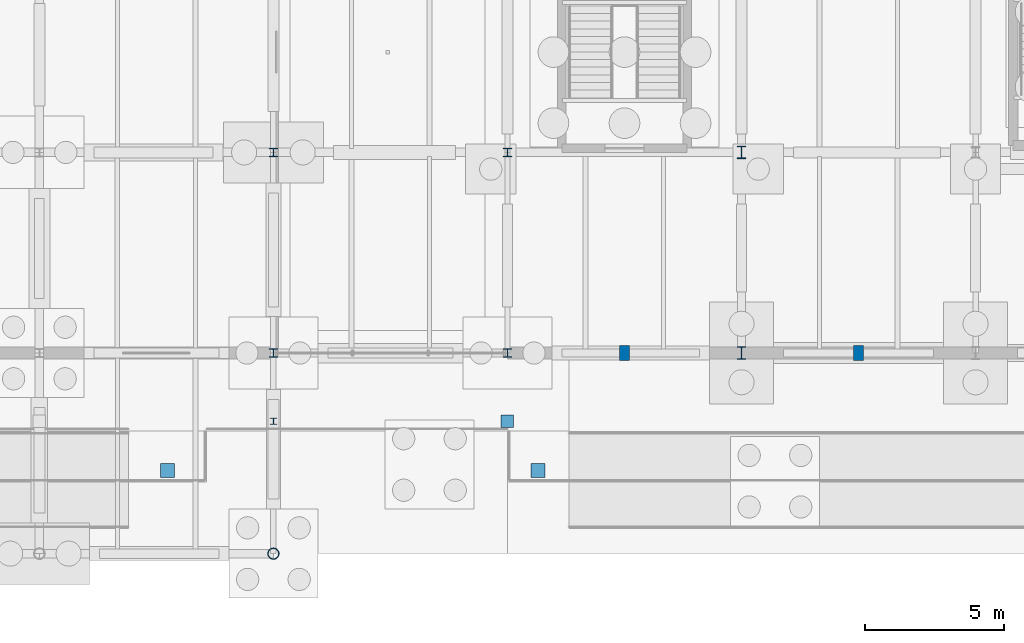
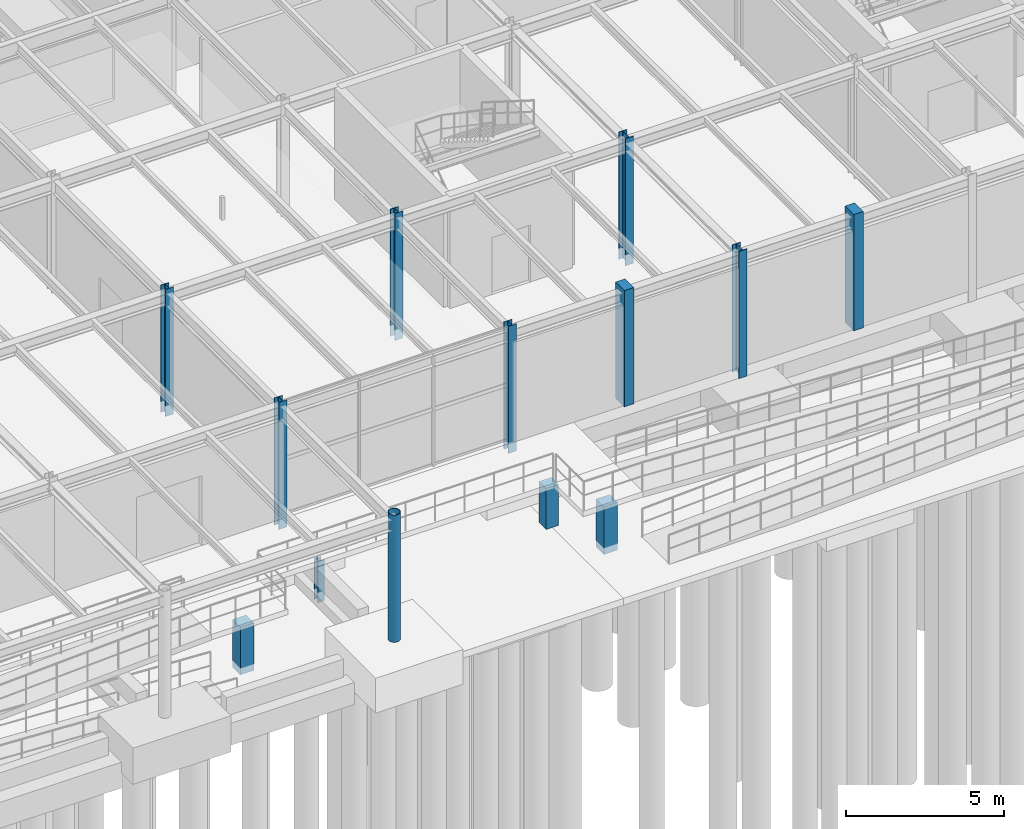
# One storey, part 15 of 93: 13 columns.
"""IFC4 building model written with IfcOpenShell, lengths in metres."""

from ifc_helpers import new_model, si_unit, derived_unit, direction, frame, origin, origin_2d, place, context, subcontext, project, spatial, rectangle, hollow_circle, i_section, extrude, material, material_profile, profile_set, type_object, element, save


model = new_model("IFC4")

# Units and contexts
model_context = context("Model", 3, precision=1e-05, world=origin(), true_north=direction((0.0, 1.0)))
body_context = subcontext(model_context, "Body", "Model", "MODEL_VIEW")
ifc_project = project(units=[si_unit("LENGTHUNIT", "METRE"), si_unit("AREAUNIT", "SQUARE_METRE"), si_unit("VOLUMEUNIT", "CUBIC_METRE"), si_unit("PLANEANGLEUNIT", "RADIAN"), si_unit("MASSUNIT", "GRAM", prefix="KILO"), derived_unit("THERMALTRANSMITTANCEUNIT", [(si_unit("MASSUNIT", "GRAM", prefix="KILO"), 1), (si_unit("TIMEUNIT", "SECOND"), -3), (si_unit("THERMODYNAMICTEMPERATUREUNIT", "KELVIN"), -1)])], contexts=[model_context])

# Site, building, storey
site_placement = place(None, origin())
site = spatial("IfcSite", under=ifc_project, at=site_placement, CompositionType="ELEMENT")
building_placement = place(site_placement, origin())
building = spatial("IfcBuilding", under=site, at=building_placement, Name="Kharveza Railside Sports Centre", CompositionType="ELEMENT")
storey_placement = place(building_placement, origin())
storey = spatial("IfcBuildingStorey", under=building, at=storey_placement, Name="L00", CompositionType="ELEMENT", Elevation=0.0)

# Columns
ifc_material_1 = material(Name="Concrete C35/45", Category="concrete")
ifc_material_profile_1 = material_profile(ifc_material_1, rectangle(XDim=0.5, YDim=0.5, at=origin_2d()), Name="RC 500x500")
ifc_profile_set_1 = profile_set([ifc_material_profile_1], Name="Concrete C35/45")
column_type_1 = type_object("IfcColumnType", Name="COL-RC03", PredefinedType="COLUMN", material=ifc_profile_set_1)
for number, where, z_axis, x_axis, name in (
    (1, (97.0, 2.97998046875, -2.06005859375), (0.0, 0.0, 1.0), (1.0, 0.0, 0.0), "COL-RMP-EXT-W-C3"),
    (2, (110.300048828125, 2.97998046875, -2.06005859375), (0.0, 0.0, 1.0), (1.0, 0.0, 0.0), "COL-RMP-EXT-E-C3"),
):
    element("IfcColumn", number, at=place(storey_placement, frame(where, z_axis=z_axis, x_axis=x_axis)), inside=storey, type_object=column_type_1, Name=name, PredefinedType="COLUMN", context=body_context, shape_type="SweptSolid", body=[
        extrude(rectangle(XDim=0.5, YDim=0.5, at=origin_2d()), origin(), (0.0, 0.0, 1.0), 1.85009765625),
    ])
ifc_material_profile_2 = material_profile(ifc_material_1, rectangle(XDim=0.449951171875, YDim=0.449951171875, at=origin_2d()), Name="RC 450x450")
ifc_profile_set_2 = profile_set([ifc_material_profile_2], Name="Concrete C35/45")
column_type_2 = type_object("IfcColumnType", Name="COL-RC09", PredefinedType="COLUMN", material=ifc_profile_set_2)
column_1_placement = place(storey_placement, frame((109.199951171875, 4.75, -1.800048828125), z_axis=(0.0, 0.0, 1.0), x_axis=(1.0, 0.0, 0.0)))
element("IfcColumn", 3, at=column_1_placement, inside=storey, type_object=column_type_2, Name="COL-PORTICO-05", PredefinedType="COLUMN", context=body_context, shape_type="SweptSolid", body=[
    extrude(rectangle(XDim=0.449951171875, YDim=0.449951171875, at=origin_2d()), origin(), (0.0, 0.0, 1.0), 1.590087890625),
])
ifc_material_profile_3 = material_profile(ifc_material_1, rectangle(XDim=0.35009765625, YDim=0.550048828125, at=origin_2d()), Name="RC 350x550")
ifc_profile_set_3 = profile_set([ifc_material_profile_3], Name="Concrete C35/45")
column_type_3 = type_object("IfcColumnType", Name="COL-RC10", PredefinedType="PILASTER", material=ifc_profile_set_3)
for number, where, z_axis, x_axis, name in (
    (4, (113.39990234375, 7.199951171875, 0.0), (0.0, 0.0, 1.0), (1.0, 0.0, 0.0), "COL-PIL-SBM-01"),
    (5, (121.800048828125, 7.199951171875, 0.0), (0.0, 0.0, 1.0), (1.0, 0.0, 0.0), "COL-PIL-SBM-02"),
):
    element("IfcColumn", number, at=place(storey_placement, frame(where, z_axis=z_axis, x_axis=x_axis)), inside=storey, type_object=column_type_3, Name=name, PredefinedType="PILASTER", context=body_context, shape_type="SweptSolid", body=[
        extrude(rectangle(XDim=0.35009765625, YDim=0.550048828125, at=origin_2d()), origin(), (0.0, 0.0, 1.0), 4.5),
    ])
ifc_material_2 = material(Name="Steel S355J2", Category="steel")
ifc_material_profile_4 = material_profile(ifc_material_2, i_section(OverallWidth=0.300048828125, OverallDepth=0.300048828125, WebThickness=0.010986328125, FlangeThickness=0.01904296875, FilletRadius=0.027099609375, at=origin_2d()), Name="HEB 300")
ifc_profile_set_4 = profile_set([ifc_material_profile_4], Name="Steel S355J2")
column_type_4 = type_object("IfcColumnType", Name="COL-S07", PredefinedType="COLUMN", material=ifc_profile_set_4)
for number, where, z_axis, x_axis, name in (
    (6, (100.800048828125, 7.199951171875, -0.419921875), (0.0, 0.0, 1.0), (1.0, 0.0, 0.0), "COL-G-C07-X1008-Y72-L00"),
    (7, (100.800048828125, 14.39990234375, -0.419921875), (0.0, 0.0, 1.0), (1.0, 0.0, 0.0), "COL-G-C07-X1008-Y144-L00"),
    (8, (109.199951171875, 7.199951171875, -0.419921875), (0.0, 0.0, 1.0), (1.0, 0.0, 0.0), "COL-G-C07-X1092-Y72-L00"),
    (9, (109.199951171875, 14.39990234375, -0.419921875), (0.0, 0.0, 1.0), (1.0, 0.0, 0.0), "COL-G-C07-X1092-Y144-L00"),
):
    element("IfcColumn", number, at=place(storey_placement, frame(where, z_axis=z_axis, x_axis=x_axis)), inside=storey, type_object=column_type_4, Name=name, PredefinedType="COLUMN", context=body_context, shape_type="SweptSolid", body=[
        extrude(i_section(OverallWidth=0.300048828125, OverallDepth=0.300048828125, WebThickness=0.010986328125, FlangeThickness=0.01904296875, FilletRadius=0.027099609375, at=origin_2d()), origin(), (0.0, 0.0, 1.0), 4.919921875),
    ])
ifc_material_profile_5 = material_profile(ifc_material_2, i_section(OverallWidth=0.300048828125, OverallDepth=0.43994140625, WebThickness=0.011474609375, FlangeThickness=0.02099609375, FilletRadius=0.027099609375, at=origin_2d()), Name="HEA 450")
ifc_profile_set_5 = profile_set([ifc_material_profile_5], Name="Steel S355J2")
column_type_5 = type_object("IfcColumnType", Name="COL-S09", PredefinedType="COLUMN", material=ifc_profile_set_5)
for number, where, z_axis, x_axis, name in (
    (10, (117.60009765625, 7.199951171875, -0.419921875), (0.0, 0.0, 1.0), (1.0, 0.0, 0.0), "COL-G-C09-X1176-Y72-L00"),
    (11, (117.60009765625, 14.39990234375, -0.419921875), (0.0, 0.0, 1.0), (1.0, 0.0, 0.0), "COL-G-C09-X1176-Y144-L00"),
):
    element("IfcColumn", number, at=place(storey_placement, frame(where, z_axis=z_axis, x_axis=x_axis)), inside=storey, type_object=column_type_5, Name=name, PredefinedType="COLUMN", context=body_context, shape_type="SweptSolid", body=[
        extrude(i_section(OverallWidth=0.300048828125, OverallDepth=0.43994140625, WebThickness=0.011474609375, FlangeThickness=0.02099609375, FilletRadius=0.027099609375, at=origin_2d()), origin(), (0.0, 0.0, 1.0), 4.919921875),
    ])
ifc_material_3 = material(Name="Steel S275JR", Category="steel")
ifc_material_profile_6 = material_profile(ifc_material_3, i_section(OverallWidth=0.239990234375, OverallDepth=0.22998046875, WebThickness=0.007568359375, FlangeThickness=0.011962890625, FilletRadius=0.02099609375, at=origin_2d()), Name="HEA 240")
ifc_profile_set_6 = profile_set([ifc_material_profile_6], Name="Steel S275JR")
column_type_6 = type_object("IfcColumnType", Name="COL-S14", PredefinedType="COLUMN", material=ifc_profile_set_6)
column_2_placement = place(storey_placement, frame((100.800048828125, 4.75, -1.800048828125), z_axis=(0.0, 0.0, 1.0), x_axis=(1.0, 0.0, 0.0)))
element("IfcColumn", 12, at=column_2_placement, inside=storey, type_object=column_type_6, Name="COL-PORTICO-04", PredefinedType="COLUMN", context=body_context, shape_type="SweptSolid", body=[
    extrude(i_section(OverallWidth=0.239990234375, OverallDepth=0.22998046875, WebThickness=0.007568359375, FlangeThickness=0.011962890625, FilletRadius=0.02099609375, at=origin_2d()), origin(), (0.0, 0.0, 1.0), 1.590087890625),
])
ifc_material_profile_7 = material_profile(ifc_material_2, hollow_circle(Radius=0.203125, WallThickness=0.02001953125, at=origin_2d()), Name="CHS 406.4x20.0")
ifc_profile_set_7 = profile_set([ifc_material_profile_7], Name="Steel S355J2")
column_type_7 = type_object("IfcColumnType", Name="COL-T02", PredefinedType="COLUMN", material=ifc_profile_set_7)
column_3_placement = place(storey_placement, frame((100.800048828125, 0.0, -0.419921875), z_axis=(0.0, 0.0, 1.0), x_axis=(1.0, 0.0, 0.0)))
element("IfcColumn", 13, at=column_3_placement, inside=storey, type_object=column_type_7, Name="COL-G-C16-X1008-Y0-L00", PredefinedType="COLUMN", context=body_context, shape_type="SweptSolid", body=[
    extrude(hollow_circle(Radius=0.203125, WallThickness=0.02001953125, at=origin_2d()), origin(), (0.0, 0.0, 1.0), 4.919921875),
])

save(model, "model.ifc")
